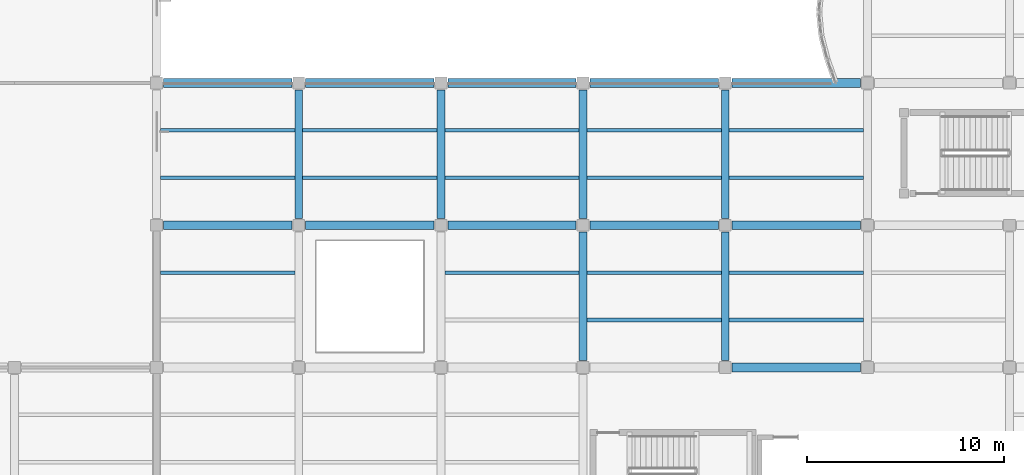
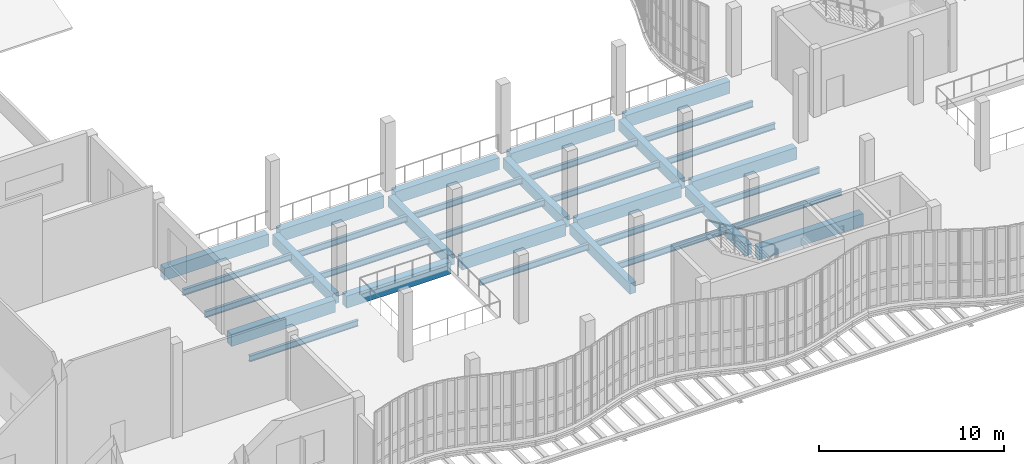
# One storey, part 14 of 105: 33 beams.
"""IFC4 building model written with IfcOpenShell, lengths in metres."""

from ifc_helpers import new_model, si_unit, direction, frame, origin, origin_2d, place, context, subcontext, project, spatial, rectangle, i_section, extrude, material, material_profile, profile_set, type_object, element, save


model = new_model("IFC4")

# Units and contexts
model_context = context("Model", 3, precision=1e-05, world=origin(), true_north=direction((0.0, 1.0)))
body_context = subcontext(model_context, "Body", "Model", "MODEL_VIEW")
ifc_project = project(units=[si_unit("LENGTHUNIT", "METRE"), si_unit("AREAUNIT", "SQUARE_METRE"), si_unit("VOLUMEUNIT", "CUBIC_METRE"), si_unit("PLANEANGLEUNIT", "RADIAN"), si_unit("MASSUNIT", "GRAM", prefix="KILO"), si_unit("THERMODYNAMICTEMPERATUREUNIT", "KELVIN"), si_unit("POWERUNIT", "WATT")], contexts=[model_context])

# Site, building, storey
site_placement = place(None, origin())
site = spatial("IfcSite", under=ifc_project, at=site_placement, CompositionType="ELEMENT")
building_placement = place(site_placement, origin())
building = spatial("IfcBuilding", under=site, at=building_placement, Name="Kaldorven Railside Theatre", CompositionType="ELEMENT")
storey_placement = place(building_placement, frame((0.0, 0.0, 9.89990234375)))
storey = spatial("IfcBuildingStorey", under=building, at=storey_placement, Name="L02", CompositionType="ELEMENT", Elevation=9.89990234375)

# Beams
ifc_material_1 = material(Name="Steel S355", Category="steel")
ifc_material_profile_1 = material_profile(ifc_material_1, i_section(OverallWidth=0.179931640625, OverallDepth=0.39990234375, WebThickness=0.008544921875, FlangeThickness=0.013427734375, at=origin_2d()), Name="IPE 400")
ifc_profile_set_1 = profile_set([ifc_material_profile_1], Name="Steel S355")
beam_type_1 = type_object("IfcBeamType", Name="BM-IPE400", PredefinedType="JOIST", material=ifc_profile_set_1)
for number, where, z_axis, x_axis, name in (
    (1, (37.0, 31.199951171875, -0.47998046875), (1.0, 0.0, 0.0), (0.0, 1.0, 0.0), "L02 Secondary Floor Joist JG-L02-036-0312"),
    (2, (51.39990234375, 31.199951171875, -0.47998046875), (1.0, 0.0, 0.0), (0.0, 1.0, 0.0), "L02 Secondary Floor Joist JG-L02-051-0312"),
):
    element("IfcBeam", number, at=place(storey_placement, frame(where, z_axis=z_axis, x_axis=x_axis)), inside=storey, type_object=beam_type_1, Name=name, PredefinedType="JOIST", context=body_context, shape_type="SweptSolid", body=[
        extrude(i_section(OverallWidth=0.179931640625, OverallDepth=0.39990234375, WebThickness=0.008544921875, FlangeThickness=0.013427734375, at=origin_2d()), origin(), (0.0, 0.0, 1.0), 6.800048828125),
    ])
for number, where, z_axis, x_axis, name in (
    (3, (58.60009765625, 28.800048828125, -0.47998046875), (1.0, 0.0, 0.0), (0.0, 1.0, 0.0), "L02 Secondary Floor Joist JG-L02-058-0288"),
    (4, (58.60009765625, 31.199951171875, -0.47998046875), (1.0, 0.0, 0.0), (0.0, 1.0, 0.0), "L02 Secondary Floor Joist JG-L02-058-0312"),
):
    element("IfcBeam", number, at=place(storey_placement, frame(where, z_axis=z_axis, x_axis=x_axis)), inside=storey, type_object=beam_type_1, Name=name, PredefinedType="JOIST", context=body_context, shape_type="SweptSolid", body=[
        extrude(i_section(OverallWidth=0.179931640625, OverallDepth=0.39990234375, WebThickness=0.008544921875, FlangeThickness=0.013427734375, at=origin_2d()), origin(), (0.0, 0.0, 1.0), 6.7998046875),
    ])
for number, where, z_axis, x_axis, name in (
    (5, (65.800048828125, 28.800048828125, -0.47998046875), (1.0, 0.0, 0.0), (0.0, 1.0, 0.0), "L02 Secondary Floor Joist JG-L02-065-0288"),
    (6, (65.800048828125, 31.199951171875, -0.47998046875), (1.0, 0.0, 0.0), (0.0, 1.0, 0.0), "L02 Secondary Floor Joist JG-L02-065-0312"),
    (7, (37.0, 36.0, -0.47998046875), (1.0, 0.0, 0.0), (0.0, 1.0, 0.0), "L02 Secondary Floor Joist JG-L02-036-0360"),
    (8, (37.0, 38.39990234375, -0.47998046875), (1.0, 0.0, 0.0), (0.0, 1.0, 0.0), "L02 Secondary Floor Joist JG-L02-036-0384"),
    (9, (44.199951171875, 36.0, -0.47998046875), (1.0, 0.0, 0.0), (0.0, 1.0, 0.0), "L02 Secondary Floor Joist JG-L02-044-0360"),
    (10, (44.199951171875, 38.39990234375, -0.47998046875), (1.0, 0.0, 0.0), (0.0, 1.0, 0.0), "L02 Secondary Floor Joist JG-L02-044-0384"),
    (11, (51.39990234375, 36.0, -0.47998046875), (1.0, 0.0, 0.0), (0.0, 1.0, 0.0), "L02 Secondary Floor Joist JG-L02-051-0360"),
    (12, (51.39990234375, 38.39990234375, -0.47998046875), (1.0, 0.0, 0.0), (0.0, 1.0, 0.0), "L02 Secondary Floor Joist JG-L02-051-0384"),
):
    element("IfcBeam", number, at=place(storey_placement, frame(where, z_axis=z_axis, x_axis=x_axis)), inside=storey, type_object=beam_type_1, Name=name, PredefinedType="JOIST", context=body_context, shape_type="SweptSolid", body=[
        extrude(i_section(OverallWidth=0.179931640625, OverallDepth=0.39990234375, WebThickness=0.008544921875, FlangeThickness=0.013427734375, at=origin_2d()), origin(), (0.0, 0.0, 1.0), 6.800048828125),
    ])
for number, where, z_axis, x_axis, name in (
    (13, (58.60009765625, 36.0, -0.47998046875), (1.0, 0.0, 0.0), (0.0, 1.0, 0.0), "L02 Secondary Floor Joist JG-L02-058-0360"),
    (14, (58.60009765625, 38.39990234375, -0.47998046875), (1.0, 0.0, 0.0), (0.0, 1.0, 0.0), "L02 Secondary Floor Joist JG-L02-058-0384"),
):
    element("IfcBeam", number, at=place(storey_placement, frame(where, z_axis=z_axis, x_axis=x_axis)), inside=storey, type_object=beam_type_1, Name=name, PredefinedType="JOIST", context=body_context, shape_type="SweptSolid", body=[
        extrude(i_section(OverallWidth=0.179931640625, OverallDepth=0.39990234375, WebThickness=0.008544921875, FlangeThickness=0.013427734375, at=origin_2d()), origin(), (0.0, 0.0, 1.0), 6.7998046875),
    ])
for number, where, z_axis, x_axis, name in (
    (15, (65.800048828125, 36.0, -0.47998046875), (1.0, 0.0, 0.0), (0.0, 1.0, 0.0), "L02 Secondary Floor Joist JG-L02-065-0360"),
    (16, (65.800048828125, 38.39990234375, -0.47998046875), (1.0, 0.0, 0.0), (0.0, 1.0, 0.0), "L02 Secondary Floor Joist JG-L02-065-0384"),
):
    element("IfcBeam", number, at=place(storey_placement, frame(where, z_axis=z_axis, x_axis=x_axis)), inside=storey, type_object=beam_type_1, Name=name, PredefinedType="JOIST", context=body_context, shape_type="SweptSolid", body=[
        extrude(i_section(OverallWidth=0.179931640625, OverallDepth=0.39990234375, WebThickness=0.008544921875, FlangeThickness=0.013427734375, at=origin_2d()), origin(), (0.0, 0.0, 1.0), 6.800048828125),
    ])
ifc_material_2 = material(Name="Concrete C40/50", Category="concrete")
ifc_material_profile_2 = material_profile(ifc_material_2, rectangle(XDim=0.39990234375, YDim=0.699951171875, at=origin_2d()), Name="RC 400x700")
ifc_profile_set_2 = profile_set([ifc_material_profile_2], Name="Concrete C40/50")
beam_type_2 = type_object("IfcBeamType", Name="BM-RC400x700", PredefinedType="BEAM", material=ifc_profile_set_2)
for number, where, z_axis, x_axis, name in (
    (17, (58.39990234375, 26.75, -0.6298828125), (0.0, 1.0, 0.0), (-1.0, 0.0, 0.0), "L02 Girder BGY-L02-058-026-72"),
    (18, (65.60009765625, 26.75, -0.6298828125), (0.0, 1.0, 0.0), (-1.0, 0.0, 0.0), "L02 Girder BGY-L02-065-026-72"),
    (19, (44.0, 33.949951171875, -0.6298828125), (0.0, 1.0, 0.0), (-1.0, 0.0, 0.0), "L02 Girder BGY-L02-044-033-72"),
    (20, (51.199951171875, 33.949951171875, -0.6298828125), (0.0, 1.0, 0.0), (-1.0, 0.0, 0.0), "L02 Girder BGY-L02-051-033-72"),
    (21, (58.39990234375, 33.949951171875, -0.6298828125), (0.0, 1.0, 0.0), (-1.0, 0.0, 0.0), "L02 Girder BGY-L02-058-033-72"),
    (22, (65.60009765625, 33.949951171875, -0.6298828125), (0.0, 1.0, 0.0), (-1.0, 0.0, 0.0), "L02 Girder BGY-L02-065-033-72"),
):
    element("IfcBeam", number, at=place(storey_placement, frame(where, z_axis=z_axis, x_axis=x_axis)), inside=storey, type_object=beam_type_2, Name=name, PredefinedType="BEAM", context=body_context, shape_type="SweptSolid", body=[
        extrude(rectangle(XDim=0.39990234375, YDim=0.699951171875, at=origin_2d()), origin(), (0.0, 0.0, 1.0), 6.5),
    ])
ifc_material_profile_3 = material_profile(ifc_material_2, rectangle(XDim=0.449951171875, YDim=0.800048828125, at=origin_2d()), Name="RC 450x800")
ifc_profile_set_3 = profile_set([ifc_material_profile_3], Name="Concrete C40/50")
beam_type_3 = type_object("IfcBeamType", Name="BM-RC450x800", PredefinedType="BEAM", material=ifc_profile_set_3)
for number, where, z_axis, x_axis, name in (
    (23, (65.949951171875, 26.39990234375, -0.679931640625), (1.0, 0.0, 0.0), (0.0, 1.0, 0.0), "L02 Girder BGX-L02-065-026"),
    (24, (37.14990234375, 33.60009765625, -0.679931640625), (1.0, 0.0, 0.0), (0.0, 1.0, 0.0), "L02 Girder BGX-L02-036-033"),
    (25, (44.35009765625, 33.60009765625, -0.679931640625), (1.0, 0.0, 0.0), (0.0, 1.0, 0.0), "L02 Girder BGX-L02-044-033"),
    (26, (51.550048828125, 33.60009765625, -0.679931640625), (1.0, 0.0, 0.0), (0.0, 1.0, 0.0), "L02 Girder BGX-L02-051-033"),
    (27, (58.75, 33.60009765625, -0.679931640625), (1.0, 0.0, 0.0), (0.0, 1.0, 0.0), "L02 Girder BGX-L02-058-033"),
    (28, (65.949951171875, 33.60009765625, -0.679931640625), (1.0, 0.0, 0.0), (0.0, 1.0, 0.0), "L02 Girder BGX-L02-065-033"),
    (29, (37.14990234375, 40.800048828125, -0.679931640625), (1.0, 0.0, 0.0), (0.0, 1.0, 0.0), "L02 Girder BGX-L02-036-040"),
    (30, (44.35009765625, 40.800048828125, -0.679931640625), (1.0, 0.0, 0.0), (0.0, 1.0, 0.0), "L02 Girder BGX-L02-044-040"),
    (31, (51.550048828125, 40.800048828125, -0.679931640625), (1.0, 0.0, 0.0), (0.0, 1.0, 0.0), "L02 Girder BGX-L02-051-040"),
    (32, (58.75, 40.800048828125, -0.679931640625), (1.0, 0.0, 0.0), (0.0, 1.0, 0.0), "L02 Girder BGX-L02-058-040"),
    (33, (65.949951171875, 40.800048828125, -0.679931640625), (1.0, 0.0, 0.0), (0.0, 1.0, 0.0), "L02 Girder BGX-L02-065-040"),
):
    element("IfcBeam", number, at=place(storey_placement, frame(where, z_axis=z_axis, x_axis=x_axis)), inside=storey, type_object=beam_type_3, Name=name, PredefinedType="BEAM", context=body_context, shape_type="SweptSolid", body=[
        extrude(rectangle(XDim=0.449951171875, YDim=0.800048828125, at=origin_2d()), origin(), (0.0, 0.0, 1.0), 6.5),
    ])

save(model, "model.ifc")
